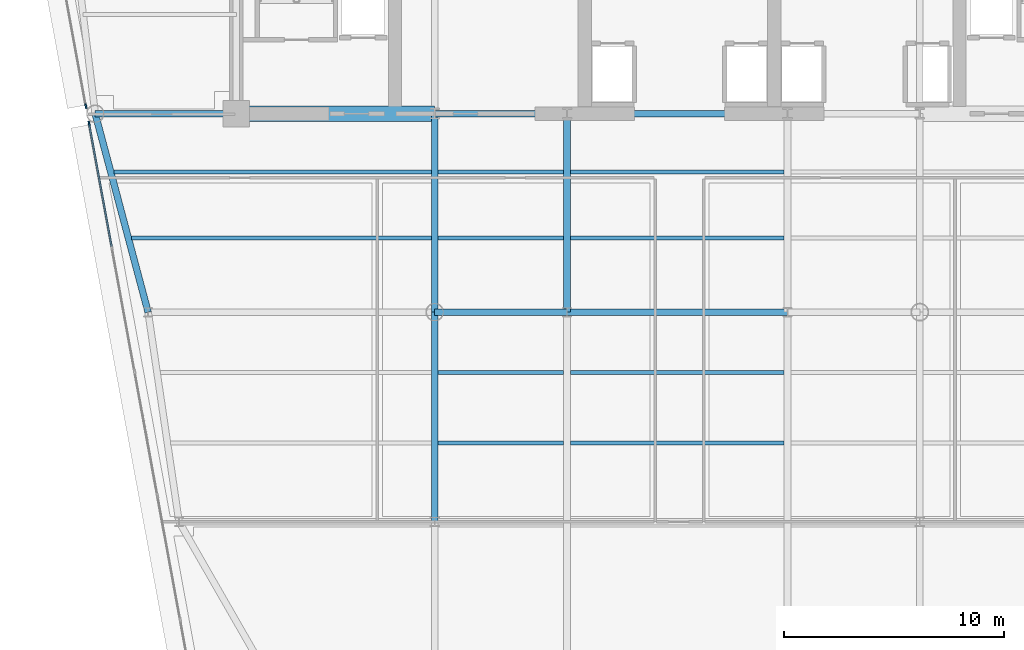
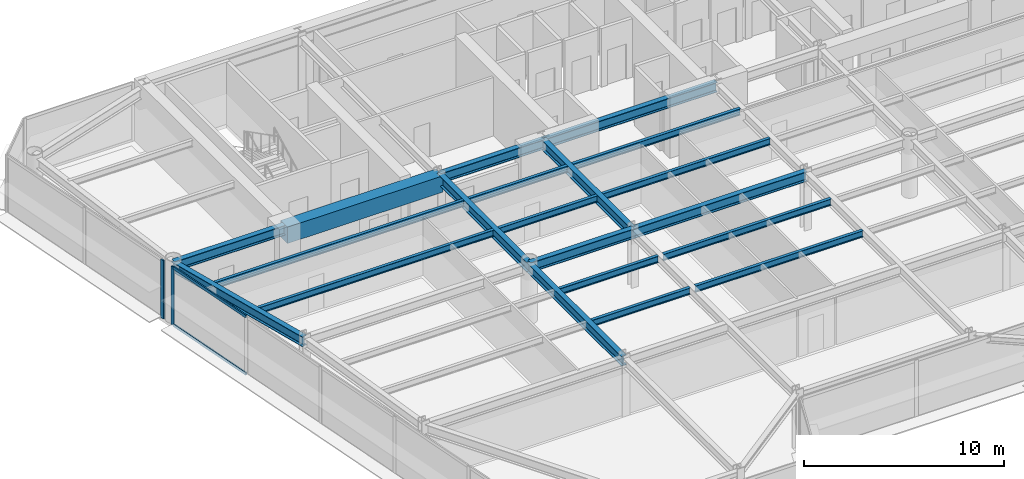
# One storey, part 3 of 15: 20 beams, 4 members, 2 elements without a shape of their own.
"""IFC4 building model written with IfcOpenShell, lengths in metres."""

from ifc_helpers import new_model, si_unit, direction, frame, origin, origin_2d, place, context, subcontext, project, spatial, rectangle, i_section, extrude, source, transform, mapped, material, layer, layer_set, material_profile, profile_set, type_object, element, aggregate, save


model = new_model("IFC4")

# Units and contexts
model_context = context("Model", 3, precision=1e-05, world=origin(), true_north=direction((0.0, 1.0)))
body_context = subcontext(model_context, "Body", "Model", "MODEL_VIEW")
ifc_project = project(units=[si_unit("LENGTHUNIT", "METRE"), si_unit("AREAUNIT", "SQUARE_METRE"), si_unit("VOLUMEUNIT", "CUBIC_METRE"), si_unit("PLANEANGLEUNIT", "RADIAN"), si_unit("MASSUNIT", "GRAM", prefix="KILO")], contexts=[model_context])

# Site, building, storey
site_placement = place(None, origin())
site = spatial("IfcSite", under=ifc_project, at=site_placement, CompositionType="ELEMENT")
building_placement = place(site_placement, origin())
building = spatial("IfcBuilding", under=site, at=building_placement, Name="Vaeldorn Concourse Tower", CompositionType="ELEMENT")
storey_placement = place(building_placement, frame((0.0, 0.0, 199.39990234375)))
storey = spatial("IfcBuildingStorey", under=building, at=storey_placement, Name="L51", CompositionType="ELEMENT", Elevation=199.39990234375)

# Beams
ifc_material_1 = material(Name="Concrete C50/60", Category="concrete")
ifc_material_profile_1 = material_profile(ifc_material_1, rectangle(XDim=0.699951171875, YDim=1.0, at=origin_2d()), Name="RC 700x1000")
ifc_profile_set_1 = profile_set([ifc_material_profile_1], Name="Concrete C50/60")
beam_type_1 = type_object("IfcBeamType", Name="BM-CB-RC700", PredefinedType="BEAM", material=ifc_profile_set_1)
shared_shape_1 = source(origin(), body_context, "Body", "SweptSolid", [
    extrude(rectangle(XDim=0.699951171875, YDim=1.0, at=origin_2d()), origin(), (0.0, 0.0, 1.0), 9.0),
])
beam_1_placement = place(storey_placement, frame((14.0, 36.5, 3.080078125), z_axis=(1.0, 0.0, 0.0), x_axis=(0.0, 1.0, 0.0)))
element("IfcBeam", 1, at=beam_1_placement, inside=storey, type_object=beam_type_1, Name="Core Coupling Beam L51-1", PredefinedType="BEAM", context=body_context, shape_type="MappedRepresentation", body=[
    mapped(shared_shape_1, transform((0.0, 0.0, 0.0), scale=1.0)),
])
ifc_material_2 = material(Name="Steel S355", Category="steel")
ifc_material_profile_2 = material_profile(ifc_material_2, i_section(OverallWidth=0.300048828125, OverallDepth=0.60009765625, WebThickness=0.015380859375, FlangeThickness=0.030029296875, FilletRadius=0.027099609375, at=origin_2d()), Name="HEB 600")
ifc_profile_set_2 = profile_set([ifc_material_profile_2], Name="Steel S355")
beam_type_2 = type_object("IfcBeamType", Name="BM-PG-HEB600", PredefinedType="BEAM", material=ifc_profile_set_2)
shared_shape_2 = source(origin(), body_context, "Body", "SweptSolid", [
    extrude(i_section(OverallWidth=0.300048828125, OverallDepth=0.60009765625, WebThickness=0.015380859375, FlangeThickness=0.030029296875, FilletRadius=0.027099609375, at=origin_2d()), origin(), (0.0, 0.0, 1.0), 6.0),
])
for number, where, z_axis, x_axis, name in (
    (2, (23.0, 36.5, 3.280029296875), (1.0, 0.0, 0.0), (0.0, 1.0, 0.0), "Beam BM-L51-C-FC2-C-FC3"),
    (3, (23.0, 27.5, 3.280029296875), (1.0, 0.0, 0.0), (0.0, 1.0, 0.0), "Beam BM-L51-C-TW1-C-TW2"),
):
    element("IfcBeam", number, at=place(storey_placement, frame(where, z_axis=z_axis, x_axis=x_axis)), inside=storey, type_object=beam_type_2, Name=name, PredefinedType="BEAM", context=body_context, shape_type="MappedRepresentation", body=[
        mapped(shared_shape_2, transform((0.0, 0.0, 0.0), scale=1.0)),
    ])
shared_shape_3 = source(origin(), body_context, "Body", "SweptSolid", [
    extrude(i_section(OverallWidth=0.300048828125, OverallDepth=0.60009765625, WebThickness=0.015380859375, FlangeThickness=0.030029296875, FilletRadius=0.027099609375, at=origin_2d()), origin(), (0.0, 0.0, 1.0), 10.0),
])
for number, where, z_axis, x_axis, name in (
    (4, (29.0, 36.5, 3.280029296875), (1.0, 0.0, 0.0), (0.0, 1.0, 0.0), "Beam BM-L51-C-FC3-C-FC4"),
    (5, (29.0, 27.5, 3.280029296875), (1.0, 0.0, 0.0), (0.0, 1.0, 0.0), "Beam BM-L51-C-TW2-C-TW3"),
):
    element("IfcBeam", number, at=place(storey_placement, frame(where, z_axis=z_axis, x_axis=x_axis)), inside=storey, type_object=beam_type_2, Name=name, PredefinedType="BEAM", context=body_context, shape_type="MappedRepresentation", body=[
        mapped(shared_shape_3, transform((0.0, 0.0, 0.0), scale=1.0)),
    ])
shared_shape_4 = source(origin(), body_context, "Body", "SweptSolid", [
    extrude(i_section(OverallWidth=0.300048828125, OverallDepth=0.60009765625, WebThickness=0.015380859375, FlangeThickness=0.030029296875, FilletRadius=0.027099609375, at=origin_2d()), origin(), (0.0, 0.0, 1.0), 9.0),
])
for number, where, z_axis, x_axis, name in (
    (6, (23.0, 27.5, 3.280029296875), (0.0, 1.0, 0.0), (-1.0, 0.0, 0.0), "Beam BM-L51-C-TW1-C-FC2"),
    (7, (29.0, 27.5, 3.280029296875), (0.0, 1.0, 0.0), (-1.0, 0.0, 0.0), "Beam BM-L51-C-TW2-C-FC3"),
):
    element("IfcBeam", number, at=place(storey_placement, frame(where, z_axis=z_axis, x_axis=x_axis)), inside=storey, type_object=beam_type_2, Name=name, PredefinedType="BEAM", context=body_context, shape_type="MappedRepresentation", body=[
        mapped(shared_shape_4, transform((0.0, 0.0, 0.0), scale=1.0)),
    ])
shared_shape_5 = source(origin(), body_context, "Body", "SweptSolid", [
    extrude(i_section(OverallWidth=0.300048828125, OverallDepth=0.60009765625, WebThickness=0.015380859375, FlangeThickness=0.030029296875, FilletRadius=0.027099609375, at=origin_2d()), origin(), (0.0, 0.0, 1.0), 6.39990234375),
])
beam_2_placement = place(storey_placement, frame((7.60009765625, 36.5, 3.280029296875), z_axis=(1.0, 0.0, 0.0), x_axis=(0.0, 1.0, 0.0)))
element("IfcBeam", 8, at=beam_2_placement, inside=storey, type_object=beam_type_2, Name="Beam BM-L51-C-NW2-C-FC1", PredefinedType="BEAM", context=body_context, shape_type="MappedRepresentation", body=[
    mapped(shared_shape_5, transform((0.0, 0.0, 0.0), scale=1.0)),
])
shared_shape_6 = source(origin(), body_context, "Body", "SweptSolid", [
    extrude(i_section(OverallWidth=0.300048828125, OverallDepth=0.60009765625, WebThickness=0.015380859375, FlangeThickness=0.030029296875, FilletRadius=0.027099609375, at=origin_2d()), origin(), (0.0, 0.0, 1.0), 9.314453125),
])
beam_3_placement = place(storey_placement, frame((7.60009765625, 36.5, 3.280029296875), z_axis=(0.257652862255, -0.966237549763, 0.0), x_axis=(0.966237549763, 0.257652862255, 0.0)))
element("IfcBeam", 9, at=beam_3_placement, inside=storey, type_object=beam_type_2, Name="Beam BM-L51-C-NW2-C-FLW1", PredefinedType="BEAM", context=body_context, shape_type="MappedRepresentation", body=[
    mapped(shared_shape_6, transform((0.0, 0.0, 0.0), scale=1.0)),
])
shared_shape_7 = source(origin(), body_context, "Body", "SweptSolid", [
    extrude(i_section(OverallWidth=0.300048828125, OverallDepth=0.60009765625, WebThickness=0.015380859375, FlangeThickness=0.030029296875, FilletRadius=0.027099609375, at=origin_2d()), origin(), (0.0, 0.0, 1.0), 9.5),
])
beam_4_placement = place(storey_placement, frame((23.0, 18.0, 3.280029296875), z_axis=(0.0, 1.0, 0.0), x_axis=(-1.0, 0.0, 0.0)))
element("IfcBeam", 10, at=beam_4_placement, inside=storey, type_object=beam_type_2, Name="Beam BM-L51-C-TW5-C-TW1", PredefinedType="BEAM", context=body_context, shape_type="MappedRepresentation", body=[
    mapped(shared_shape_7, transform((0.0, 0.0, 0.0), scale=1.0)),
])
ifc_material_profile_3 = material_profile(ifc_material_2, i_section(OverallWidth=0.179931640625, OverallDepth=0.39990234375, WebThickness=0.008544921875, FlangeThickness=0.013427734375, FilletRadius=0.02099609375, at=origin_2d()), Name="IPE 400")
ifc_profile_set_3 = profile_set([ifc_material_profile_3], Name="Steel S355")
beam_type_3 = type_object("IfcBeamType", Name="BM-JS-IPE400", PredefinedType="JOIST", material=ifc_profile_set_3)
shared_shape_8 = source(origin(), body_context, "Body", "SweptSolid", [
    extrude(i_section(OverallWidth=0.179931640625, OverallDepth=0.39990234375, WebThickness=0.008544921875, FlangeThickness=0.013427734375, FilletRadius=0.02099609375, at=origin_2d()), origin(), (0.0, 0.0, 1.0), 5.7001953125),
])
for number, where, z_axis, x_axis, name in (
    (11, (23.14990234375, 21.56005859375, 3.380126953125), (1.0, 0.0, 0.0), (0.0, 1.0, 0.0), "Beam JS-L51-W2-215"),
    (12, (23.14990234375, 24.760009765625, 3.380126953125), (1.0, 0.0, 0.0), (0.0, 1.0, 0.0), "Beam JS-L51-W2-247"),
    (13, (23.14990234375, 30.860107421875, 3.380126953125), (1.0, 0.0, 0.0), (0.0, 1.0, 0.0), "Beam JS-L51-W2-308"),
    (14, (23.14990234375, 33.860107421875, 3.380126953125), (1.0, 0.0, 0.0), (0.0, 1.0, 0.0), "Beam JS-L51-W2-338"),
):
    element("IfcBeam", number, at=place(storey_placement, frame(where, z_axis=z_axis, x_axis=x_axis)), inside=storey, type_object=beam_type_3, Name=name, PredefinedType="JOIST", context=body_context, shape_type="MappedRepresentation", body=[
        mapped(shared_shape_8, transform((0.0, 0.0, 0.0), scale=1.0)),
    ])
shared_shape_9 = source(origin(), body_context, "Body", "SweptSolid", [
    extrude(i_section(OverallWidth=0.179931640625, OverallDepth=0.39990234375, WebThickness=0.008544921875, FlangeThickness=0.013427734375, FilletRadius=0.02099609375, at=origin_2d()), origin(), (0.0, 0.0, 1.0), 9.7001953125),
])
for number, where, z_axis, x_axis, name in (
    (15, (29.14990234375, 21.56005859375, 3.380126953125), (1.0, 0.0, 0.0), (0.0, 1.0, 0.0), "Beam JS-L51-C-215"),
    (16, (29.14990234375, 24.760009765625, 3.380126953125), (1.0, 0.0, 0.0), (0.0, 1.0, 0.0), "Beam JS-L51-C-247"),
    (17, (29.14990234375, 30.860107421875, 3.380126953125), (1.0, 0.0, 0.0), (0.0, 1.0, 0.0), "Beam JS-L51-C-308"),
    (18, (29.14990234375, 33.860107421875, 3.380126953125), (1.0, 0.0, 0.0), (0.0, 1.0, 0.0), "Beam JS-L51-C-338"),
):
    element("IfcBeam", number, at=place(storey_placement, frame(where, z_axis=z_axis, x_axis=x_axis)), inside=storey, type_object=beam_type_3, Name=name, PredefinedType="JOIST", context=body_context, shape_type="MappedRepresentation", body=[
        mapped(shared_shape_9, transform((0.0, 0.0, 0.0), scale=1.0)),
    ])
shared_shape_10 = source(origin(), body_context, "Body", "SweptSolid", [
    extrude(i_section(OverallWidth=0.179931640625, OverallDepth=0.39990234375, WebThickness=0.008544921875, FlangeThickness=0.013427734375, FilletRadius=0.02099609375, at=origin_2d()), origin(), (0.0, 0.0, 1.0), 13.59619140625),
])
beam_5_placement = place(storey_placement, frame((9.25390625, 30.860107421875, 3.380126953125), z_axis=(1.0, 0.0, 0.0), x_axis=(0.0, 1.0, 0.0)))
element("IfcBeam", 19, at=beam_5_placement, inside=storey, type_object=beam_type_3, Name="Beam JS-L51-W1-308", PredefinedType="JOIST", context=body_context, shape_type="MappedRepresentation", body=[
    mapped(shared_shape_10, transform((0.0, 0.0, 0.0), scale=1.0)),
])
shared_shape_11 = source(origin(), body_context, "Body", "SweptSolid", [
    extrude(i_section(OverallWidth=0.179931640625, OverallDepth=0.39990234375, WebThickness=0.008544921875, FlangeThickness=0.013427734375, FilletRadius=0.02099609375, at=origin_2d()), origin(), (0.0, 0.0, 1.0), 14.39599609375),
])
beam_6_placement = place(storey_placement, frame((8.4541015625, 33.860107421875, 3.380126953125), z_axis=(1.0, 0.0, 0.0), x_axis=(0.0, 1.0, 0.0)))
element("IfcBeam", 20, at=beam_6_placement, inside=storey, type_object=beam_type_3, Name="Beam JS-L51-W1-338", PredefinedType="JOIST", context=body_context, shape_type="MappedRepresentation", body=[
    mapped(shared_shape_11, transform((0.0, 0.0, 0.0), scale=1.0)),
])

# Curtain wall, member
ifc_material_3 = material(Name="Anodised Bronze Aluminium", Category="aluminium")
ifc_layer = layer(ifc_material_3, 0.2099609375)
ifc_layer_set = layer_set([ifc_layer], Name="Anodised Bronze Aluminium")
curtain_wall_type = type_object("IfcCurtainWallType", Name="CW-SYS-06", PredefinedType="NOTDEFINED", material=ifc_layer_set)
curtain_wall_1_placement = place(storey_placement, origin())
curtain_wall_1 = element("IfcCurtainWall", 21, at=curtain_wall_1_placement, inside=storey, type_object=curtain_wall_type, Name="Unitised Curtain Wall CW-L51-E11-1", PredefinedType="NOTDEFINED")
ifc_material_profile_4 = material_profile(ifc_material_3, rectangle(XDim=0.074951171875, YDim=0.219970703125, at=origin_2d()), Name="CWM 75x220")
ifc_profile_set_4 = profile_set([ifc_material_profile_4], Name="Anodised Bronze Aluminium")
member_type_1 = type_object("IfcMemberType", Name="CWM-BRONZE-220", PredefinedType="MULLION", material=ifc_profile_set_4)
shared_shape_12 = source(origin(), body_context, "Body", "SweptSolid", [
    extrude(rectangle(XDim=0.074951171875, YDim=0.219970703125, at=origin_2d()), origin(), (0.0, 0.0, 1.0), 3.580078125),
])
member_1_placement = place(storey_placement, frame((7.1767578125, 36.844482421875, 0.0), z_axis=(0.0, 0.0, 1.0), x_axis=(0.983559459619, 0.180584576845, 0.0)))
member_1 = element("IfcMember", 22, at=member_1_placement, type_object=member_type_1, Name="CW-06 mullion 3", PredefinedType="MULLION", context=body_context, shape_type="MappedRepresentation", body=[
    mapped(shared_shape_12, transform((0.0, 0.0, 0.0), scale=1.0)),
])
aggregate(curtain_wall_1, [member_1])

# Curtain wall, members
curtain_wall_2_placement = place(storey_placement, origin())
curtain_wall_2 = element("IfcCurtainWall", 23, at=curtain_wall_2_placement, inside=storey, type_object=curtain_wall_type, Name="Unitised Curtain Wall CW-L51-E11-2", PredefinedType="NOTDEFINED")
member_2_placement = place(storey_placement, frame((7.3232421875, 36.046630859375, 0.0), z_axis=(0.0, 0.0, 1.0), x_axis=(0.983559325018, 0.180585309951, 0.0)))
member_2 = element("IfcMember", 24, at=member_2_placement, type_object=member_type_1, Name="CW-06 mullion 1", PredefinedType="MULLION", context=body_context, shape_type="MappedRepresentation", body=[
    mapped(shared_shape_12, transform((0.0, 0.0, 0.0), scale=1.0)),
])
ifc_material_profile_5 = material_profile(ifc_material_3, rectangle(XDim=0.074951171875, YDim=0.179931640625, at=origin_2d()), Name="CWT 75x180")
ifc_profile_set_5 = profile_set([ifc_material_profile_5], Name="Anodised Bronze Aluminium")
member_type_2 = type_object("IfcMemberType", Name="CWT-BRONZE-180", PredefinedType="USERDEFINED", material=ifc_profile_set_5)
shared_shape_13 = source(origin(), body_context, "Body", "SweptSolid", [
    extrude(rectangle(XDim=0.074951171875, YDim=0.179931640625, at=origin_2d()), origin(), (0.0, 0.0, 1.0), 5.618408203125),
])
member_3_placement = place(storey_placement, frame((7.329833984375, 36.009765625, 0.03759765625), z_axis=(0.18059061227, -0.983558351477, 0.0), x_axis=(0.983558351477, 0.18059061227, 0.0)))
member_3 = element("IfcMember", 25, at=member_3_placement, type_object=member_type_2, Name="CW-06 transom 1.1", ObjectType="TRANSOM", PredefinedType="USERDEFINED", context=body_context, shape_type="MappedRepresentation", body=[
    mapped(shared_shape_13, transform((0.0, 0.0, 0.0), scale=1.0)),
])
member_4_placement = place(storey_placement, frame((7.329833984375, 36.009765625, 3.54248046875), z_axis=(0.18059061227, -0.983558351477, 0.0), x_axis=(0.983558351477, 0.18059061227, 0.0)))
member_4 = element("IfcMember", 26, at=member_4_placement, type_object=member_type_2, Name="CW-06 transom 1.2", ObjectType="TRANSOM", PredefinedType="USERDEFINED", context=body_context, shape_type="MappedRepresentation", body=[
    mapped(shared_shape_13, transform((0.0, 0.0, 0.0), scale=1.0)),
])
aggregate(curtain_wall_2, [member_2, member_3, member_4])

save(model, "model.ifc")
